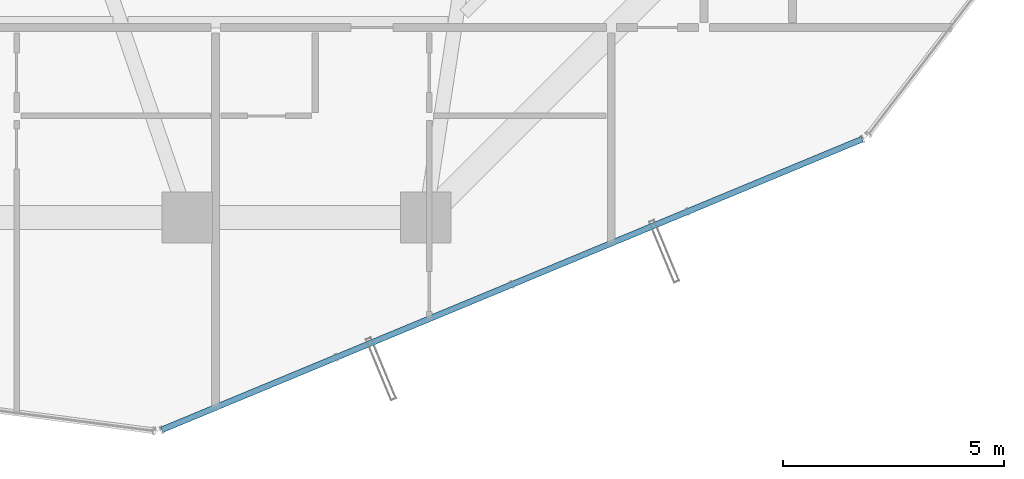
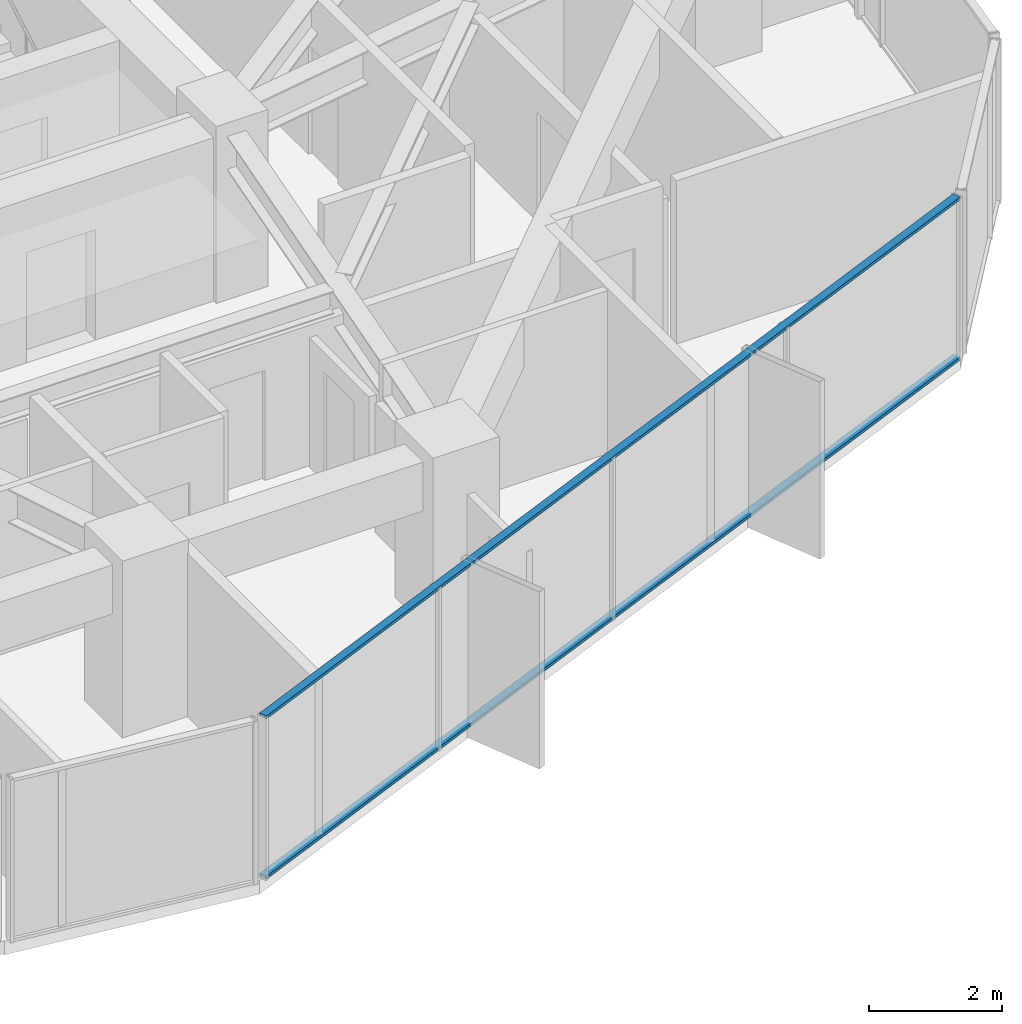
# One storey, part 7 of 30: 2 members, 1 element without a shape of its own.
"""IFC4 building model written with IfcOpenShell, lengths in metres."""

import ifcopenshell
import ifcopenshell.guid

model = None  # the IFC model being written
_history = None  # IfcOwnerHistory: only IFC2X3 demands one
_inside = {}  # id of a spatial element -> (the spatial element, [elements in it])
_under = {}  # id of a project, library or spatial element -> (it, [spatial elements below it])
_declared = {}  # id of a project -> (the project, [libraries it declares])
_typed = {}  # id of a type object -> (the type object, [elements of that type])
_made_of = {}  # id of a material, layer set ... -> (it, [elements and type objects made of it])


def new_model(schema):
    """Start an empty IFC model of exactly this schema.

    Asked for "IFC4X3", IfcOpenShell would pick the latest addendum, in which some entities
    have other attributes; the version numbers below select the first issue.
    IFC2X3 requires an IfcOwnerHistory on every rooted entity: one is made here for all.
    """
    global model, _history
    if schema == "IFC4X3":
        model = ifcopenshell.file(schema_version=(4, 3, 0, 0))
    else:
        model = ifcopenshell.file(schema=schema)
    _inside.clear()
    _under.clear()
    _declared.clear()
    _typed.clear()
    _made_of.clear()
    _history = None
    if model.schema == "IFC2X3":
        org = make("IfcOrganization", Name="unknown")
        user = make(
            "IfcPersonAndOrganization",
            ThePerson=make("IfcPerson", FamilyName="unknown"),
            TheOrganization=org,
        )
        app = make(
            "IfcApplication",
            ApplicationDeveloper=org,
            Version="unknown",
            ApplicationFullName="unknown",
            ApplicationIdentifier="unknown",
        )
        _history = make(
            "IfcOwnerHistory",
            OwningUser=user,
            OwningApplication=app,
            ChangeAction="ADDED",
            CreationDate=0,
        )
    return model


def make(cls, **values):
    """One entity of the class cls with the attributes given. An attribute that is None is left unset."""
    return model.create_entity(
        cls, **{name: value for name, value in values.items() if value is not None}
    )


def rooted(cls, **values):
    """An entity with a GlobalId (a new one), such as an element, a storey or a relation."""
    return make(cls, GlobalId=ifcopenshell.guid.new(), OwnerHistory=_history, **values)


def si_unit(unit_type, name, prefix=None):
    """IfcSIUnit, for example si_unit("LENGTHUNIT", "METRE", prefix="MILLI")."""
    return make("IfcSIUnit", UnitType=unit_type, Prefix=prefix, Name=name)


def assignment(units):
    """IfcUnitAssignment: the units of a project."""
    return None if units is None else make("IfcUnitAssignment", Units=units)


def point(xyz):
    """IfcCartesianPoint."""
    return None if xyz is None else make("IfcCartesianPoint", Coordinates=xyz)


def direction(xyz):
    """IfcDirection."""
    return None if xyz is None else make("IfcDirection", DirectionRatios=xyz)


def frame(location, z_axis=None, x_axis=None):
    """IfcAxis2Placement3D, a coordinate frame: its origin and axes. An axis left out is left unset."""
    return make(
        "IfcAxis2Placement3D",
        Location=point(location),
        Axis=direction(z_axis),
        RefDirection=direction(x_axis),
    )


def frame_2d(location, x_axis=None):
    """IfcAxis2Placement2D, a coordinate frame in the plane: its origin and x axis."""
    return make(
        "IfcAxis2Placement2D", Location=point(location), RefDirection=direction(x_axis)
    )


def origin():
    """The frame at (0, 0, 0) with its axes left unset."""
    return frame((0.0, 0.0, 0.0))


def origin_2d():
    """The frame at (0, 0) in the plane with its x axis left unset."""
    return frame_2d((0.0, 0.0))


def place(relative_to, where):
    """IfcLocalPlacement: puts the frame where relative to a parent placement (None: the world)."""
    return make(
        "IfcLocalPlacement", PlacementRelTo=relative_to, RelativePlacement=where
    )


def context(
    kind, dimensions, precision=None, world=None, true_north=None, identifier=None
):
    """IfcGeometricRepresentationContext, for example the 3D "Model" context."""
    return make(
        "IfcGeometricRepresentationContext",
        ContextIdentifier=identifier,
        ContextType=kind,
        CoordinateSpaceDimension=dimensions,
        Precision=precision,
        WorldCoordinateSystem=world,
        TrueNorth=true_north,
    )


def subcontext(parent, identifier, kind, view, scale=None):
    """IfcGeometricRepresentationSubContext, for example "Body" below "Model"."""
    return make(
        "IfcGeometricRepresentationSubContext",
        ContextIdentifier=identifier,
        ContextType=kind,
        ParentContext=parent,
        TargetScale=scale,
        TargetView=view,
    )


def project(units=None, contexts=None):
    """IfcProject with its units and contexts."""
    return rooted(
        "IfcProject",
        Name="project",
        RepresentationContexts=contexts,
        UnitsInContext=assignment(units),
    )


def spatial(cls, under=None, at=None, **own):
    """A site, building, storey or space (cls), placed at a placement, below another one or the project."""
    s = rooted(cls, ObjectPlacement=at, **own)
    if under is not None:
        _under.setdefault(under.id(), (under, []))[1].append(s)
    return s


def profile(cls, at=None, kind="AREA", **sizes):
    """A parametric profile (cls). Its sizes go by their IFC names, for example OverallWidth=200.0."""
    return make(cls, ProfileType=kind, Position=at, **sizes)


def hollow_rectangle(**sizes):
    """IfcRectangleHollowProfileDef."""
    return profile("IfcRectangleHollowProfileDef", **sizes)


def extrude(swept, where, along, depth):
    """IfcExtrudedAreaSolid: the profile swept, set in the frame where, extruded along a direction by depth."""
    return make(
        "IfcExtrudedAreaSolid",
        SweptArea=swept,
        Position=where,
        ExtrudedDirection=direction(along),
        Depth=depth,
    )


def shape(context_of_items, identifier, shape_type, items):
    """IfcShapeRepresentation: the items that make up one representation, for example the "Body"."""
    return make(
        "IfcShapeRepresentation",
        ContextOfItems=context_of_items,
        RepresentationIdentifier=identifier,
        RepresentationType=shape_type,
        Items=items,
    )


def source(mapping_origin, context_of_items, identifier, shape_type, items):
    """IfcRepresentationMap: a shape defined once, which mapped items show again and again."""
    return make(
        "IfcRepresentationMap",
        MappingOrigin=mapping_origin,
        MappedRepresentation=shape(context_of_items, identifier, shape_type, items),
    )


def transform(
    local_origin,
    x_axis=None,
    y_axis=None,
    z_axis=None,
    scale=None,
    scale2=None,
    scale3=None,
    uniform=True,
):
    """IfcCartesianTransformationOperator3D, or its non-uniform kind. x_axis, y_axis, z_axis: its Axis1, 2, 3."""
    if uniform:
        return make(
            "IfcCartesianTransformationOperator3D",
            Axis1=direction(x_axis),
            Axis2=direction(y_axis),
            LocalOrigin=point(local_origin),
            Scale=scale,
            Axis3=direction(z_axis),
        )
    return make(
        "IfcCartesianTransformationOperator3DnonUniform",
        Axis1=direction(x_axis),
        Axis2=direction(y_axis),
        LocalOrigin=point(local_origin),
        Scale=scale,
        Axis3=direction(z_axis),
        Scale2=scale2,
        Scale3=scale3,
    )


def mapped(mapping_source, mapping_target):
    """IfcMappedItem: shows the shape of a source again, moved by a transform."""
    return make(
        "IfcMappedItem", MappingSource=mapping_source, MappingTarget=mapping_target
    )


def material(Name=None, Category=None):
    """IfcMaterial."""
    return make("IfcMaterial", Name=Name, Category=Category)


def layer(
    of_material, thickness, ventilated=None, Name=None, Category=None, Priority=None
):
    """IfcMaterialLayer: one layer of a wall or slab, of a material (None: an air gap)."""
    return make(
        "IfcMaterialLayer",
        Material=of_material,
        LayerThickness=thickness,
        IsVentilated=ventilated,
        Name=Name,
        Category=Category,
        Priority=Priority,
    )


def layer_set(layers, Name=None):
    """IfcMaterialLayerSet."""
    return make("IfcMaterialLayerSet", MaterialLayers=layers, LayerSetName=Name)


def material_profile(
    of_material, cross_section, Name=None, Category=None, Priority=None
):
    """IfcMaterialProfile: a cross section and its material."""
    return make(
        "IfcMaterialProfile",
        Name=Name,
        Material=of_material,
        Profile=cross_section,
        Priority=Priority,
        Category=Category,
    )


def profile_set(profiles, Name=None, composite=None):
    """IfcMaterialProfileSet."""
    return make(
        "IfcMaterialProfileSet",
        Name=Name,
        MaterialProfiles=profiles,
        CompositeProfile=composite,
    )


def made_of(thing, what):
    """Note that an element or type object is made of a material, layer set ...; save() writes the relation."""
    if what is not None:
        _made_of.setdefault(what.id(), (what, []))[1].append(thing)
    return thing


def type_object(cls, material=None, **own):
    """A type object (cls), such as IfcWallType, which elements share."""
    return made_of(rooted(cls, **own), material)


def element(
    cls,
    number,
    at=None,
    inside=None,
    cuts=None,
    type_object=None,
    material=None,
    context=None,
    identifier="Body",
    shape_type=None,
    held_by="IfcProductDefinitionShape",
    body=None,
    shapes=None,
    **own,
):
    """One element of the class cls, such as IfcWall. Its Tag is "e" and its number.

    at: its placement. inside: the storey or other place that contains it. cuts: it is an
    opening in that element (IfcRelVoidsElement). A single representation is given by context,
    identifier, shape_type and body (its items); several are given by shapes. held_by: the class
    of the entity that holds the representations. save() writes the other relations.
    """
    e = rooted(cls, Tag="e%d" % number, ObjectPlacement=at, **own)
    if body is not None:
        shapes = [shape(context, identifier, shape_type, body)]
    if shapes is not None:
        e.Representation = make(held_by, Representations=shapes)
    if inside is not None:
        _inside.setdefault(inside.id(), (inside, []))[1].append(e)
    if cuts is not None:
        rooted(
            "IfcRelVoidsElement", RelatingBuildingElement=cuts, RelatedOpeningElement=e
        )
    if type_object is not None:
        _typed.setdefault(type_object.id(), (type_object, []))[1].append(e)
    return made_of(e, material)


def aggregate(whole, parts):
    """IfcRelAggregates: a whole, such as a stair, and the parts it consists of."""
    return rooted("IfcRelAggregates", RelatingObject=whole, RelatedObjects=parts)


def save(model, path):
    """Write the relations noted so far, then the file.

    IfcRelAggregates (storeys below a building ...), IfcRelContainedInSpatialStructure (elements
    in a storey), IfcRelDefinesByType, IfcRelAssociatesMaterial and IfcRelDeclares: one each for
    every whole, place, type object, material and project.
    """
    for whole, parts in _under.values():
        aggregate(whole, parts)
    for where, things in _inside.values():
        rooted(
            "IfcRelContainedInSpatialStructure",
            RelatedElements=things,
            RelatingStructure=where,
        )
    for kind, things in _typed.values():
        rooted("IfcRelDefinesByType", RelatedObjects=things, RelatingType=kind)
    for what, things in _made_of.values():
        rooted("IfcRelAssociatesMaterial", RelatedObjects=things, RelatingMaterial=what)
    for by, libraries in _declared.values():
        rooted("IfcRelDeclares", RelatingContext=by, RelatedDefinitions=libraries)
    model.write(path)


model = new_model("IFC4")

# Units and contexts
model_context = context("Model", 3, precision=1e-05, world=origin(), true_north=direction((0.0, 1.0)))
body_context = subcontext(model_context, "Body", "Model", "MODEL_VIEW")
ifc_project = project(units=[si_unit("LENGTHUNIT", "METRE"), si_unit("AREAUNIT", "SQUARE_METRE"), si_unit("VOLUMEUNIT", "CUBIC_METRE"), si_unit("PLANEANGLEUNIT", "RADIAN"), si_unit("MASSUNIT", "GRAM", prefix="KILO")], contexts=[model_context])

# Site, building, storey
site_placement = place(None, origin())
site = spatial("IfcSite", under=ifc_project, at=site_placement, CompositionType="ELEMENT")
building_placement = place(site_placement, origin())
building = spatial("IfcBuilding", under=site, at=building_placement, Name="Veraguas Prism Commons", CompositionType="ELEMENT")
storey_placement = place(building_placement, frame((0.0, 0.0, 102.449951171875)))
storey = spatial("IfcBuildingStorey", under=building, at=storey_placement, Name="L28", CompositionType="ELEMENT", Elevation=102.449951171875)

# Curtain wall, members
ifc_material = material(Name="Anodised aluminium EN AW-6063 T6", Category="aluminium")
ifc_layer = layer(ifc_material, 0.169921875, Name="Unitised Flush Curtain Wall Zone 2", Category="aluminium")
ifc_layer_set = layer_set([ifc_layer], Name="Anodised aluminium EN AW-6063 T6")
curtain_wall_type = type_object("IfcCurtainWallType", Name="Unitised Flush Curtain Wall Zone 2", PredefinedType="NOTDEFINED", material=ifc_layer_set)
curtain_wall_placement = place(storey_placement, origin())
curtain_wall = element("IfcCurtainWall", 1, at=curtain_wall_placement, inside=storey, type_object=curtain_wall_type, Name="Tower Facade Curtain Wall L28-F5", PredefinedType="NOTDEFINED")
ifc_material_profile = material_profile(ifc_material, hollow_rectangle(XDim=0.054931640625, YDim=0.135009765625, WallThickness=0.0029296875, at=origin_2d()), Name="AL55X135X3")
ifc_profile_set = profile_set([ifc_material_profile], Name="Anodised aluminium EN AW-6063 T6")
member_type = type_object("IfcMemberType", Name="Curtain Wall Transom Standard AL 55x135x3", PredefinedType="USERDEFINED", material=ifc_profile_set)
shared_shape = source(origin(), body_context, "Body", "SweptSolid", [
    extrude(hollow_rectangle(XDim=0.054931640625, YDim=0.135009765625, WallThickness=0.0029296875, at=origin_2d()), origin(), (0.0, 0.0, 1.0), 17.174560546875),
])
member_1_placement = place(storey_placement, frame((23.421875, 2.9912109375, 0.027587890625), z_axis=(0.923611416074, 0.383330082432, 0.0), x_axis=(0.0, 0.0, 1.0)))
member_1 = element("IfcMember", 2, at=member_1_placement, type_object=member_type, Name="CW-Z2 Transom 1", ObjectType="TRANSOM", PredefinedType="USERDEFINED", context=body_context, shape_type="MappedRepresentation", body=[
    mapped(shared_shape, transform((0.0, 0.0, 0.0), scale=1.0)),
])
member_2_placement = place(storey_placement, frame((23.421875, 2.9912109375, 2.97265625), z_axis=(0.923611416074, 0.383330082432, 0.0), x_axis=(0.0, 0.0, 1.0)))
member_2 = element("IfcMember", 3, at=member_2_placement, type_object=member_type, Name="CW-Z2 Transom 2", ObjectType="TRANSOM", PredefinedType="USERDEFINED", context=body_context, shape_type="MappedRepresentation", body=[
    mapped(shared_shape, transform((0.0, 0.0, 0.0), scale=1.0)),
])
aggregate(curtain_wall, [member_1, member_2])

save(model, "model.ifc")
